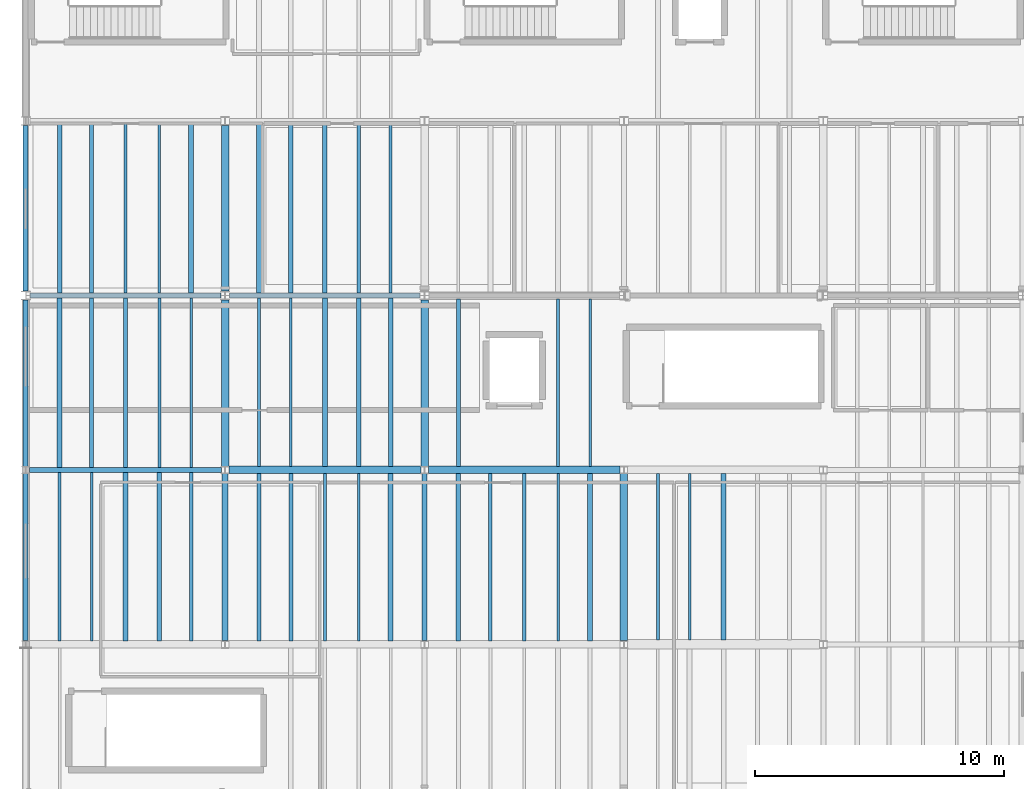
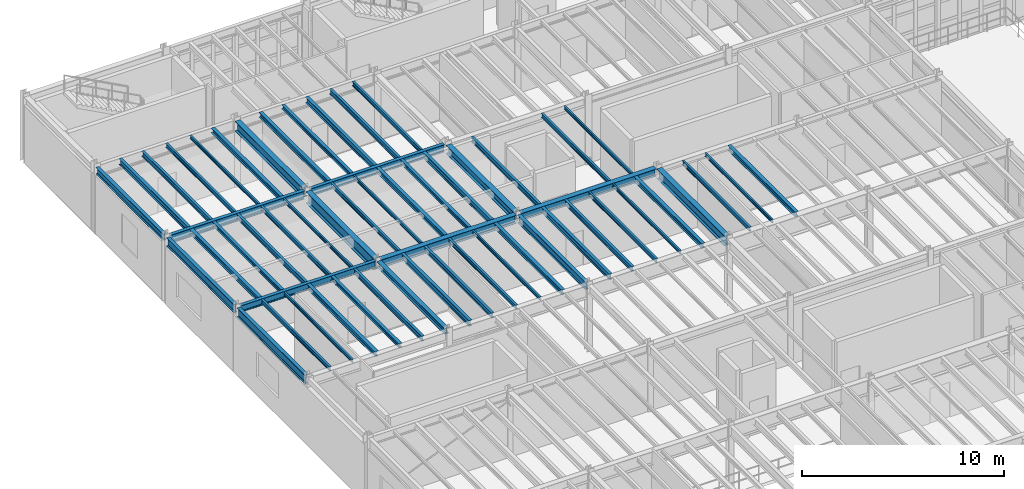
# One storey, part 18 of 78: 55 beams.
"""IFC4 building model written with IfcOpenShell, lengths in metres."""

from ifc_helpers import new_model, si_unit, direction, frame, origin, origin_2d, place, context, subcontext, project, spatial, i_section, extrude, material, material_profile, profile_set, type_object, element, save


model = new_model("IFC4")

# Units and contexts
model_context = context("Model", 3, precision=1e-05, world=origin(), true_north=direction((0.0, 1.0)))
body_context = subcontext(model_context, "Body", "Model", "MODEL_VIEW")
ifc_project = project(units=[si_unit("LENGTHUNIT", "METRE"), si_unit("AREAUNIT", "SQUARE_METRE"), si_unit("VOLUMEUNIT", "CUBIC_METRE"), si_unit("PLANEANGLEUNIT", "RADIAN"), si_unit("MASSUNIT", "GRAM", prefix="KILO"), si_unit("THERMODYNAMICTEMPERATUREUNIT", "KELVIN"), si_unit("POWERUNIT", "WATT")], contexts=[model_context])

# Site, building, storey
site_placement = place(None, origin())
site = spatial("IfcSite", under=ifc_project, at=site_placement, CompositionType="ELEMENT")
building_placement = place(site_placement, origin())
building = spatial("IfcBuilding", under=site, at=building_placement, Name="Zhenchuan Central Fire Station", CompositionType="ELEMENT")
storey_placement = place(building_placement, frame((0.0, 0.0, 5.85009765625)))
storey = spatial("IfcBuildingStorey", under=building, at=storey_placement, Name="L02", CompositionType="ELEMENT", Elevation=5.85009765625)

# Beams
ifc_material = material(Name="Steel Q355B", Category="steel")
ifc_material_profile_1 = material_profile(ifc_material, i_section(OverallWidth=0.25, OverallDepth=0.340087890625, WebThickness=0.009033203125, FlangeThickness=0.013916015625, FilletRadius=0.01806640625, at=origin_2d()), Name="HM 340x250")
ifc_profile_set_1 = profile_set([ifc_material_profile_1], Name="Steel Q355B")
beam_type_1 = type_object("IfcBeamType", Name="BM-HM340", PredefinedType="BEAM", material=ifc_profile_set_1)
beam_1_placement = place(storey_placement, frame((8.0, 28.64990234375, 3.829833984375), z_axis=(0.0, 1.0, 0.0), x_axis=(-1.0, 0.0, 0.0)))
element("IfcBeam", 1, at=beam_1_placement, inside=storey, type_object=beam_type_1, Name="L03 Girder NS 0284", PredefinedType="BEAM", context=body_context, shape_type="SweptSolid", body=[
    extrude(i_section(OverallWidth=0.25, OverallDepth=0.340087890625, WebThickness=0.009033203125, FlangeThickness=0.013916015625, FilletRadius=0.01806640625, at=origin_2d()), origin(), (0.0, 0.0, 1.0), 6.7001953125),
])
ifc_material_profile_2 = material_profile(ifc_material, i_section(OverallWidth=0.300048828125, OverallDepth=0.43994140625, WebThickness=0.010986328125, FlangeThickness=0.01806640625, FilletRadius=0.02197265625, at=origin_2d()), Name="HM 440x300")
ifc_profile_set_2 = profile_set([ifc_material_profile_2], Name="Steel Q355B")
beam_type_2 = type_object("IfcBeamType", Name="BM-HM440-INT", PredefinedType="BEAM", material=ifc_profile_set_2)
beam_2_placement = place(storey_placement, frame((16.14990234375, 35.5, 3.77978515625), z_axis=(1.0, 0.0, 0.0), x_axis=(0.0, 1.0, 0.0)))
element("IfcBeam", 2, at=beam_2_placement, inside=storey, type_object=beam_type_2, Name="L03 Girder EW 0231", PredefinedType="BEAM", context=body_context, shape_type="SweptSolid", body=[
    extrude(i_section(OverallWidth=0.300048828125, OverallDepth=0.43994140625, WebThickness=0.010986328125, FlangeThickness=0.01806640625, FilletRadius=0.02197265625, at=origin_2d()), origin(), (0.0, 0.0, 1.0), 7.7001953125),
])
ifc_material_profile_3 = material_profile(ifc_material, i_section(OverallWidth=0.300048828125, OverallDepth=0.5, WebThickness=0.010986328125, FlangeThickness=0.01806640625, FilletRadius=0.02197265625, at=origin_2d()), Name="HM 500x300")
ifc_profile_set_3 = profile_set([ifc_material_profile_3], Name="Steel Q355B")
beam_type_3 = type_object("IfcBeamType", Name="BM-HM500-INT", PredefinedType="BEAM", material=ifc_profile_set_3)
beam_3_placement = place(storey_placement, frame((8.14990234375, 35.5, 3.75), z_axis=(1.0, 0.0, 0.0), x_axis=(0.0, 1.0, 0.0)))
element("IfcBeam", 3, at=beam_3_placement, inside=storey, type_object=beam_type_3, Name="L03 Girder EW 0230", PredefinedType="BEAM", context=body_context, shape_type="SweptSolid", body=[
    extrude(i_section(OverallWidth=0.300048828125, OverallDepth=0.5, WebThickness=0.010986328125, FlangeThickness=0.01806640625, FilletRadius=0.02197265625, at=origin_2d()), origin(), (0.0, 0.0, 1.0), 7.7001953125),
])
beam_4_placement = place(storey_placement, frame((16.0, 35.64990234375, 3.75), z_axis=(0.0, 1.0, 0.0), x_axis=(-1.0, 0.0, 0.0)))
element("IfcBeam", 4, at=beam_4_placement, inside=storey, type_object=beam_type_3, Name="L03 Girder NS 0292", PredefinedType="BEAM", context=body_context, shape_type="SweptSolid", body=[
    extrude(i_section(OverallWidth=0.300048828125, OverallDepth=0.5, WebThickness=0.010986328125, FlangeThickness=0.01806640625, FilletRadius=0.02197265625, at=origin_2d()), origin(), (0.0, 0.0, 1.0), 6.675048828125),
])
ifc_material_profile_4 = material_profile(ifc_material, i_section(OverallWidth=0.300048828125, OverallDepth=0.587890625, WebThickness=0.011962890625, FlangeThickness=0.02001953125, FilletRadius=0.02392578125, at=origin_2d()), Name="HM 588x300")
ifc_profile_set_4 = profile_set([ifc_material_profile_4], Name="Steel Q355B")
beam_type_4 = type_object("IfcBeamType", Name="BM-HM588", PredefinedType="BEAM", material=ifc_profile_set_4)
beam_5_placement = place(storey_placement, frame((8.0, 42.675048828125, 3.705810546875), z_axis=(0.0, 1.0, 0.0), x_axis=(-1.0, 0.0, 0.0)))
element("IfcBeam", 5, at=beam_5_placement, inside=storey, type_object=beam_type_4, Name="L03 Girder NS 0286", PredefinedType="BEAM", context=body_context, shape_type="SweptSolid", body=[
    extrude(i_section(OverallWidth=0.300048828125, OverallDepth=0.587890625, WebThickness=0.011962890625, FlangeThickness=0.02001953125, FilletRadius=0.02392578125, at=origin_2d()), origin(), (0.0, 0.0, 1.0), 6.64990234375),
])
beam_6_placement = place(storey_placement, frame((24.0, 28.64990234375, 3.705810546875), z_axis=(0.0, 1.0, 0.0), x_axis=(-1.0, 0.0, 0.0)))
element("IfcBeam", 6, at=beam_6_placement, inside=storey, type_object=beam_type_4, Name="L03 Girder NS 0297", PredefinedType="BEAM", context=body_context, shape_type="SweptSolid", body=[
    extrude(i_section(OverallWidth=0.300048828125, OverallDepth=0.587890625, WebThickness=0.011962890625, FlangeThickness=0.02001953125, FilletRadius=0.02392578125, at=origin_2d()), origin(), (0.0, 0.0, 1.0), 6.7001953125),
])
ifc_material_profile_5 = material_profile(ifc_material, i_section(OverallWidth=0.199951171875, OverallDepth=0.449951171875, WebThickness=0.009033203125, FlangeThickness=0.013916015625, FilletRadius=0.01806640625, at=origin_2d()), Name="HN 450x200")
ifc_profile_set_5 = profile_set([ifc_material_profile_5], Name="Steel Q355B")
beam_type_5 = type_object("IfcBeamType", Name="BM-HN450", PredefinedType="BEAM", material=ifc_profile_set_5)
beam_7_placement = place(storey_placement, frame((8.175048828125, 42.5, 3.77490234375), z_axis=(1.0, 0.0, 0.0), x_axis=(0.0, 1.0, 0.0)))
element("IfcBeam", 7, at=beam_7_placement, inside=storey, type_object=beam_type_5, Name="L03 Girder EW 0243", PredefinedType="BEAM", context=body_context, shape_type="SweptSolid", body=[
    extrude(i_section(OverallWidth=0.199951171875, OverallDepth=0.449951171875, WebThickness=0.009033203125, FlangeThickness=0.013916015625, FilletRadius=0.01806640625, at=origin_2d()), origin(), (0.0, 0.0, 1.0), 7.64990234375),
])
beam_8_placement = place(storey_placement, frame((16.0, 28.64990234375, 3.77490234375), z_axis=(0.0, 1.0, 0.0), x_axis=(-1.0, 0.0, 0.0)))
element("IfcBeam", 8, at=beam_8_placement, inside=storey, type_object=beam_type_5, Name="L03 Girder NS 0291", PredefinedType="BEAM", context=body_context, shape_type="SweptSolid", body=[
    extrude(i_section(OverallWidth=0.199951171875, OverallDepth=0.449951171875, WebThickness=0.009033203125, FlangeThickness=0.013916015625, FilletRadius=0.01806640625, at=origin_2d()), origin(), (0.0, 0.0, 1.0), 6.7001953125),
])
ifc_material_profile_6 = material_profile(ifc_material, i_section(OverallWidth=0.199951171875, OverallDepth=0.5, WebThickness=0.010009765625, FlangeThickness=0.01611328125, FilletRadius=0.02001953125, at=origin_2d()), Name="HN 500x200")
ifc_profile_set_6 = profile_set([ifc_material_profile_6], Name="Steel Q355B")
beam_type_6 = type_object("IfcBeamType", Name="BM-HN500", PredefinedType="BEAM", material=ifc_profile_set_6)
beam_9_placement = place(storey_placement, frame((0.0, 35.64990234375, 3.75), z_axis=(0.0, 1.0, 0.0), x_axis=(-1.0, 0.0, 0.0)))
element("IfcBeam", 9, at=beam_9_placement, inside=storey, type_object=beam_type_6, Name="L03 Girder NS 0279", PredefinedType="BEAM", context=body_context, shape_type="SweptSolid", body=[
    extrude(i_section(OverallWidth=0.199951171875, OverallDepth=0.5, WebThickness=0.010009765625, FlangeThickness=0.01611328125, FilletRadius=0.02001953125, at=origin_2d()), origin(), (0.0, 0.0, 1.0), 6.675048828125),
])
ifc_material_profile_7 = material_profile(ifc_material, i_section(OverallWidth=0.199951171875, OverallDepth=0.5, WebThickness=0.010009765625, FlangeThickness=0.01611328125, FilletRadius=0.02001953125, at=origin_2d()), Name="HN 500x200")
ifc_profile_set_7 = profile_set([ifc_material_profile_7], Name="Steel Q355B")
beam_type_7 = type_object("IfcBeamType", Name="BM-HN500-INT", PredefinedType="BEAM", material=ifc_profile_set_7)
beam_10_placement = place(storey_placement, frame((0.175048828125, 42.5, 3.75), z_axis=(1.0, 0.0, 0.0), x_axis=(0.0, 1.0, 0.0)))
element("IfcBeam", 10, at=beam_10_placement, inside=storey, type_object=beam_type_7, Name="L03 Girder EW 0242", PredefinedType="BEAM", context=body_context, shape_type="SweptSolid", body=[
    extrude(i_section(OverallWidth=0.199951171875, OverallDepth=0.5, WebThickness=0.010009765625, FlangeThickness=0.01611328125, FilletRadius=0.02001953125, at=origin_2d()), origin(), (0.0, 0.0, 1.0), 7.64990234375),
])
ifc_material_profile_8 = material_profile(ifc_material, i_section(OverallWidth=0.199951171875, OverallDepth=0.550048828125, WebThickness=0.010009765625, FlangeThickness=0.01611328125, FilletRadius=0.02001953125, at=origin_2d()), Name="HN 550x200")
ifc_profile_set_8 = profile_set([ifc_material_profile_8], Name="Steel Q355B")
beam_type_8 = type_object("IfcBeamType", Name="BM-HN550", PredefinedType="BEAM", material=ifc_profile_set_8)
beam_11_placement = place(storey_placement, frame((0.0, 28.64990234375, 3.724853515625), z_axis=(0.0, 1.0, 0.0), x_axis=(-1.0, 0.0, 0.0)))
element("IfcBeam", 11, at=beam_11_placement, inside=storey, type_object=beam_type_8, Name="L03 Girder NS 0278", PredefinedType="BEAM", context=body_context, shape_type="SweptSolid", body=[
    extrude(i_section(OverallWidth=0.199951171875, OverallDepth=0.550048828125, WebThickness=0.010009765625, FlangeThickness=0.01611328125, FilletRadius=0.02001953125, at=origin_2d()), origin(), (0.0, 0.0, 1.0), 6.7001953125),
])
ifc_material_profile_9 = material_profile(ifc_material, i_section(OverallWidth=0.300048828125, OverallDepth=0.699951171875, WebThickness=0.012939453125, FlangeThickness=0.02392578125, FilletRadius=0.02392578125, at=origin_2d()), Name="HN 700x300")
ifc_profile_set_9 = profile_set([ifc_material_profile_9], Name="Steel Q355B")
beam_type_9 = type_object("IfcBeamType", Name="BM-HN700", PredefinedType="BEAM", material=ifc_profile_set_9)
beam_12_placement = place(storey_placement, frame((8.0, 35.64990234375, 3.64990234375), z_axis=(0.0, 1.0, 0.0), x_axis=(-1.0, 0.0, 0.0)))
element("IfcBeam", 12, at=beam_12_placement, inside=storey, type_object=beam_type_9, Name="L03 Girder NS 0285", PredefinedType="BEAM", context=body_context, shape_type="SweptSolid", body=[
    extrude(i_section(OverallWidth=0.300048828125, OverallDepth=0.699951171875, WebThickness=0.012939453125, FlangeThickness=0.02392578125, FilletRadius=0.02392578125, at=origin_2d()), origin(), (0.0, 0.0, 1.0), 6.675048828125),
])
ifc_material_profile_10 = material_profile(ifc_material, i_section(OverallWidth=0.175048828125, OverallDepth=0.243896484375, WebThickness=0.007080078125, FlangeThickness=0.010986328125, FilletRadius=0.012939453125, at=origin_2d()), Name="HM 244x175")
ifc_profile_set_10 = profile_set([ifc_material_profile_10], Name="Steel Q355B")
beam_type_10 = type_object("IfcBeamType", Name="JS-HM244", PredefinedType="JOIST", material=ifc_profile_set_10)
beam_13_placement = place(storey_placement, frame((5.360107421875, 28.64697265625, 3.8779296875), z_axis=(0.0, 1.0, 0.0), x_axis=(-1.0, 0.0, 0.0)))
element("IfcBeam", 13, at=beam_13_placement, inside=storey, type_object=beam_type_10, Name="L03 Secondary Joist 0420", PredefinedType="JOIST", context=body_context, shape_type="SweptSolid", body=[
    extrude(i_section(OverallWidth=0.175048828125, OverallDepth=0.243896484375, WebThickness=0.007080078125, FlangeThickness=0.010986328125, FilletRadius=0.012939453125, at=origin_2d()), origin(), (0.0, 0.0, 1.0), 6.756103515625),
])
beam_14_placement = place(storey_placement, frame((2.639892578125, 35.596923828125, 3.8779296875), z_axis=(0.0, 1.0, 0.0), x_axis=(-1.0, 0.0, 0.0)))
element("IfcBeam", 14, at=beam_14_placement, inside=storey, type_object=beam_type_10, Name="L03 Secondary Joist 0455", PredefinedType="JOIST", context=body_context, shape_type="SweptSolid", body=[
    extrude(i_section(OverallWidth=0.175048828125, OverallDepth=0.243896484375, WebThickness=0.007080078125, FlangeThickness=0.010986328125, FilletRadius=0.012939453125, at=origin_2d()), origin(), (0.0, 0.0, 1.0), 6.80615234375),
])
beam_15_placement = place(storey_placement, frame((13.360107421875, 35.64697265625, 3.8779296875), z_axis=(0.0, 1.0, 0.0), x_axis=(-1.0, 0.0, 0.0)))
element("IfcBeam", 15, at=beam_15_placement, inside=storey, type_object=beam_type_10, Name="L03 Secondary Joist 0462", PredefinedType="JOIST", context=body_context, shape_type="SweptSolid", body=[
    extrude(i_section(OverallWidth=0.175048828125, OverallDepth=0.243896484375, WebThickness=0.007080078125, FlangeThickness=0.010986328125, FilletRadius=0.012939453125, at=origin_2d()), origin(), (0.0, 0.0, 1.0), 6.756103515625),
])
beam_16_placement = place(storey_placement, frame((10.639892578125, 42.596923828125, 3.8779296875), z_axis=(0.0, 1.0, 0.0), x_axis=(-1.0, 0.0, 0.0)))
element("IfcBeam", 16, at=beam_16_placement, inside=storey, type_object=beam_type_10, Name="L03 Secondary Joist 0498", PredefinedType="JOIST", context=body_context, shape_type="SweptSolid", body=[
    extrude(i_section(OverallWidth=0.175048828125, OverallDepth=0.243896484375, WebThickness=0.007080078125, FlangeThickness=0.010986328125, FilletRadius=0.012939453125, at=origin_2d()), origin(), (0.0, 0.0, 1.0), 6.80615234375),
])
ifc_material_profile_11 = material_profile(ifc_material, i_section(OverallWidth=0.199951171875, OverallDepth=0.2939453125, WebThickness=0.008056640625, FlangeThickness=0.011962890625, FilletRadius=0.01611328125, at=origin_2d()), Name="HM 294x200")
ifc_profile_set_11 = profile_set([ifc_material_profile_11], Name="Steel Q355B")
beam_type_11 = type_object("IfcBeamType", Name="JS-HM294", PredefinedType="JOIST", material=ifc_profile_set_11)
beam_17_placement = place(storey_placement, frame((4.0, 28.64697265625, 3.852783203125), z_axis=(0.0, 1.0, 0.0), x_axis=(-1.0, 0.0, 0.0)))
element("IfcBeam", 17, at=beam_17_placement, inside=storey, type_object=beam_type_11, Name="L03 Secondary Joist 0419", PredefinedType="JOIST", context=body_context, shape_type="SweptSolid", body=[
    extrude(i_section(OverallWidth=0.199951171875, OverallDepth=0.2939453125, WebThickness=0.008056640625, FlangeThickness=0.011962890625, FilletRadius=0.01611328125, at=origin_2d()), origin(), (0.0, 0.0, 1.0), 6.756103515625),
])
for number, where, z_axis, x_axis, name in (
    (18, (14.639892578125, 28.64697265625, 3.852783203125), (0.0, 1.0, 0.0), (-1.0, 0.0, 0.0), "L03 Secondary Joist 0426"),
    (19, (22.639892578125, 28.64697265625, 3.852783203125), (0.0, 1.0, 0.0), (-1.0, 0.0, 0.0), "L03 Secondary Joist 0431"),
):
    element("IfcBeam", number, at=place(storey_placement, frame(where, z_axis=z_axis, x_axis=x_axis)), inside=storey, type_object=beam_type_11, Name=name, PredefinedType="JOIST", context=body_context, shape_type="SweptSolid", body=[
        extrude(i_section(OverallWidth=0.199951171875, OverallDepth=0.2939453125, WebThickness=0.008056640625, FlangeThickness=0.011962890625, FilletRadius=0.01611328125, at=origin_2d()), origin(), (0.0, 0.0, 1.0), 6.7060546875),
    ])
beam_18_placement = place(storey_placement, frame((28.0, 28.68701171875, 3.852783203125), z_axis=(0.0, 1.0, 0.0), x_axis=(-1.0, 0.0, 0.0)))
element("IfcBeam", 20, at=beam_18_placement, inside=storey, type_object=beam_type_11, Name="L03 Secondary Joist 0434", PredefinedType="JOIST", context=body_context, shape_type="SweptSolid", body=[
    extrude(i_section(OverallWidth=0.199951171875, OverallDepth=0.2939453125, WebThickness=0.008056640625, FlangeThickness=0.011962890625, FilletRadius=0.01611328125, at=origin_2d()), origin(), (0.0, 0.0, 1.0), 6.666015625),
])
beam_19_placement = place(storey_placement, frame((1.360107421875, 35.596923828125, 3.852783203125), z_axis=(0.0, 1.0, 0.0), x_axis=(-1.0, 0.0, 0.0)))
element("IfcBeam", 21, at=beam_19_placement, inside=storey, type_object=beam_type_11, Name="L03 Secondary Joist 0454", PredefinedType="JOIST", context=body_context, shape_type="SweptSolid", body=[
    extrude(i_section(OverallWidth=0.199951171875, OverallDepth=0.2939453125, WebThickness=0.008056640625, FlangeThickness=0.011962890625, FilletRadius=0.01611328125, at=origin_2d()), origin(), (0.0, 0.0, 1.0), 6.80615234375),
])
beam_20_placement = place(storey_placement, frame((12.0, 35.64697265625, 3.852783203125), z_axis=(0.0, 1.0, 0.0), x_axis=(-1.0, 0.0, 0.0)))
element("IfcBeam", 22, at=beam_20_placement, inside=storey, type_object=beam_type_11, Name="L03 Secondary Joist 0461", PredefinedType="JOIST", context=body_context, shape_type="SweptSolid", body=[
    extrude(i_section(OverallWidth=0.199951171875, OverallDepth=0.2939453125, WebThickness=0.008056640625, FlangeThickness=0.011962890625, FilletRadius=0.01611328125, at=origin_2d()), origin(), (0.0, 0.0, 1.0), 6.756103515625),
])
for number, where, z_axis, x_axis, name in (
    (23, (6.639892578125, 42.596923828125, 3.852783203125), (0.0, 1.0, 0.0), (-1.0, 0.0, 0.0), "L03 Secondary Joist 0496"),
    (24, (9.360107421875, 42.596923828125, 3.852783203125), (0.0, 1.0, 0.0), (-1.0, 0.0, 0.0), "L03 Secondary Joist 0497"),
):
    element("IfcBeam", number, at=place(storey_placement, frame(where, z_axis=z_axis, x_axis=x_axis)), inside=storey, type_object=beam_type_11, Name=name, PredefinedType="JOIST", context=body_context, shape_type="SweptSolid", body=[
        extrude(i_section(OverallWidth=0.199951171875, OverallDepth=0.2939453125, WebThickness=0.008056640625, FlangeThickness=0.011962890625, FilletRadius=0.01611328125, at=origin_2d()), origin(), (0.0, 0.0, 1.0), 6.80615234375),
    ])
ifc_material_profile_12 = material_profile(ifc_material, i_section(OverallWidth=0.10009765625, OverallDepth=0.199951171875, WebThickness=0.005615234375, FlangeThickness=0.008056640625, FilletRadius=0.010986328125, at=origin_2d()), Name="HN 200x100")
ifc_profile_set_12 = profile_set([ifc_material_profile_12], Name="Steel Q355B")
beam_type_12 = type_object("IfcBeamType", Name="JS-HN200", PredefinedType="JOIST", material=ifc_profile_set_12)
beam_21_placement = place(storey_placement, frame((2.639892578125, 28.64697265625, 3.89990234375), z_axis=(0.0, 1.0, 0.0), x_axis=(-1.0, 0.0, 0.0)))
element("IfcBeam", 25, at=beam_21_placement, inside=storey, type_object=beam_type_12, Name="L03 Secondary Joist 0418", PredefinedType="JOIST", context=body_context, shape_type="SweptSolid", body=[
    extrude(i_section(OverallWidth=0.10009765625, OverallDepth=0.199951171875, WebThickness=0.005615234375, FlangeThickness=0.008056640625, FilletRadius=0.010986328125, at=origin_2d()), origin(), (0.0, 0.0, 1.0), 6.756103515625),
])
for number, where, z_axis, x_axis, name in (
    (26, (13.360107421875, 28.64697265625, 3.89990234375), (0.0, 1.0, 0.0), (-1.0, 0.0, 0.0), "L03 Secondary Joist 0425"),
    (27, (21.360107421875, 28.64697265625, 3.89990234375), (0.0, 1.0, 0.0), (-1.0, 0.0, 0.0), "L03 Secondary Joist 0430"),
):
    element("IfcBeam", number, at=place(storey_placement, frame(where, z_axis=z_axis, x_axis=x_axis)), inside=storey, type_object=beam_type_12, Name=name, PredefinedType="JOIST", context=body_context, shape_type="SweptSolid", body=[
        extrude(i_section(OverallWidth=0.10009765625, OverallDepth=0.199951171875, WebThickness=0.005615234375, FlangeThickness=0.008056640625, FilletRadius=0.010986328125, at=origin_2d()), origin(), (0.0, 0.0, 1.0), 6.7060546875),
    ])
beam_22_placement = place(storey_placement, frame((26.639892578125, 28.68701171875, 3.89990234375), z_axis=(0.0, 1.0, 0.0), x_axis=(-1.0, 0.0, 0.0)))
element("IfcBeam", 28, at=beam_22_placement, inside=storey, type_object=beam_type_12, Name="L03 Secondary Joist 0433", PredefinedType="JOIST", context=body_context, shape_type="SweptSolid", body=[
    extrude(i_section(OverallWidth=0.10009765625, OverallDepth=0.199951171875, WebThickness=0.005615234375, FlangeThickness=0.008056640625, FilletRadius=0.010986328125, at=origin_2d()), origin(), (0.0, 0.0, 1.0), 6.666015625),
])
beam_23_placement = place(storey_placement, frame((6.639892578125, 35.596923828125, 3.89990234375), z_axis=(0.0, 1.0, 0.0), x_axis=(-1.0, 0.0, 0.0)))
element("IfcBeam", 29, at=beam_23_placement, inside=storey, type_object=beam_type_12, Name="L03 Secondary Joist 0458", PredefinedType="JOIST", context=body_context, shape_type="SweptSolid", body=[
    extrude(i_section(OverallWidth=0.10009765625, OverallDepth=0.199951171875, WebThickness=0.005615234375, FlangeThickness=0.008056640625, FilletRadius=0.010986328125, at=origin_2d()), origin(), (0.0, 0.0, 1.0), 6.80615234375),
])
beam_24_placement = place(storey_placement, frame((10.639892578125, 35.64697265625, 3.89990234375), z_axis=(0.0, 1.0, 0.0), x_axis=(-1.0, 0.0, 0.0)))
element("IfcBeam", 30, at=beam_24_placement, inside=storey, type_object=beam_type_12, Name="L03 Secondary Joist 0460", PredefinedType="JOIST", context=body_context, shape_type="SweptSolid", body=[
    extrude(i_section(OverallWidth=0.10009765625, OverallDepth=0.199951171875, WebThickness=0.005615234375, FlangeThickness=0.008056640625, FilletRadius=0.010986328125, at=origin_2d()), origin(), (0.0, 0.0, 1.0), 6.756103515625),
])
beam_25_placement = place(storey_placement, frame((22.639892578125, 35.64697265625, 3.89990234375), z_axis=(0.0, 1.0, 0.0), x_axis=(-1.0, 0.0, 0.0)))
element("IfcBeam", 31, at=beam_25_placement, inside=storey, type_object=beam_type_12, Name="L03 Secondary Joist 0466", PredefinedType="JOIST", context=body_context, shape_type="SweptSolid", body=[
    extrude(i_section(OverallWidth=0.10009765625, OverallDepth=0.199951171875, WebThickness=0.005615234375, FlangeThickness=0.008056640625, FilletRadius=0.010986328125, at=origin_2d()), origin(), (0.0, 0.0, 1.0), 6.7060546875),
])
beam_26_placement = place(storey_placement, frame((5.360107421875, 42.596923828125, 3.89990234375), z_axis=(0.0, 1.0, 0.0), x_axis=(-1.0, 0.0, 0.0)))
element("IfcBeam", 32, at=beam_26_placement, inside=storey, type_object=beam_type_12, Name="L03 Secondary Joist 0495", PredefinedType="JOIST", context=body_context, shape_type="SweptSolid", body=[
    extrude(i_section(OverallWidth=0.10009765625, OverallDepth=0.199951171875, WebThickness=0.005615234375, FlangeThickness=0.008056640625, FilletRadius=0.010986328125, at=origin_2d()), origin(), (0.0, 0.0, 1.0), 6.80615234375),
])
ifc_material_profile_13 = material_profile(ifc_material, i_section(OverallWidth=0.125, OverallDepth=0.25, WebThickness=0.006103515625, FlangeThickness=0.009033203125, FilletRadius=0.011962890625, at=origin_2d()), Name="HN 250x125")
ifc_profile_set_13 = profile_set([ifc_material_profile_13], Name="Steel Q355B")
beam_type_13 = type_object("IfcBeamType", Name="JS-HN250", PredefinedType="JOIST", material=ifc_profile_set_13)
beam_27_placement = place(storey_placement, frame((1.360107421875, 28.64697265625, 3.875), z_axis=(0.0, 1.0, 0.0), x_axis=(-1.0, 0.0, 0.0)))
element("IfcBeam", 33, at=beam_27_placement, inside=storey, type_object=beam_type_13, Name="L03 Secondary Joist 0417", PredefinedType="JOIST", context=body_context, shape_type="SweptSolid", body=[
    extrude(i_section(OverallWidth=0.125, OverallDepth=0.25, WebThickness=0.006103515625, FlangeThickness=0.009033203125, FilletRadius=0.011962890625, at=origin_2d()), origin(), (0.0, 0.0, 1.0), 6.756103515625),
])
for number, where, z_axis, x_axis, name in (
    (34, (12.0, 28.64697265625, 3.875), (0.0, 1.0, 0.0), (-1.0, 0.0, 0.0), "L03 Secondary Joist 0424"),
    (35, (20.0, 28.64697265625, 3.875), (0.0, 1.0, 0.0), (-1.0, 0.0, 0.0), "L03 Secondary Joist 0429"),
):
    element("IfcBeam", number, at=place(storey_placement, frame(where, z_axis=z_axis, x_axis=x_axis)), inside=storey, type_object=beam_type_13, Name=name, PredefinedType="JOIST", context=body_context, shape_type="SweptSolid", body=[
        extrude(i_section(OverallWidth=0.125, OverallDepth=0.25, WebThickness=0.006103515625, FlangeThickness=0.009033203125, FilletRadius=0.011962890625, at=origin_2d()), origin(), (0.0, 0.0, 1.0), 6.7060546875),
    ])
beam_28_placement = place(storey_placement, frame((25.360107421875, 28.68701171875, 3.875), z_axis=(0.0, 1.0, 0.0), x_axis=(-1.0, 0.0, 0.0)))
element("IfcBeam", 36, at=beam_28_placement, inside=storey, type_object=beam_type_13, Name="L03 Secondary Joist 0432", PredefinedType="JOIST", context=body_context, shape_type="SweptSolid", body=[
    extrude(i_section(OverallWidth=0.125, OverallDepth=0.25, WebThickness=0.006103515625, FlangeThickness=0.009033203125, FilletRadius=0.011962890625, at=origin_2d()), origin(), (0.0, 0.0, 1.0), 6.666015625),
])
beam_29_placement = place(storey_placement, frame((5.360107421875, 35.596923828125, 3.875), z_axis=(0.0, 1.0, 0.0), x_axis=(-1.0, 0.0, 0.0)))
element("IfcBeam", 37, at=beam_29_placement, inside=storey, type_object=beam_type_13, Name="L03 Secondary Joist 0457", PredefinedType="JOIST", context=body_context, shape_type="SweptSolid", body=[
    extrude(i_section(OverallWidth=0.125, OverallDepth=0.25, WebThickness=0.006103515625, FlangeThickness=0.009033203125, FilletRadius=0.011962890625, at=origin_2d()), origin(), (0.0, 0.0, 1.0), 6.80615234375),
])
beam_30_placement = place(storey_placement, frame((9.360107421875, 35.64697265625, 3.875), z_axis=(0.0, 1.0, 0.0), x_axis=(-1.0, 0.0, 0.0)))
element("IfcBeam", 38, at=beam_30_placement, inside=storey, type_object=beam_type_13, Name="L03 Secondary Joist 0459", PredefinedType="JOIST", context=body_context, shape_type="SweptSolid", body=[
    extrude(i_section(OverallWidth=0.125, OverallDepth=0.25, WebThickness=0.006103515625, FlangeThickness=0.009033203125, FilletRadius=0.011962890625, at=origin_2d()), origin(), (0.0, 0.0, 1.0), 6.756103515625),
])
beam_31_placement = place(storey_placement, frame((21.360107421875, 35.64697265625, 3.875), z_axis=(0.0, 1.0, 0.0), x_axis=(-1.0, 0.0, 0.0)))
element("IfcBeam", 39, at=beam_31_placement, inside=storey, type_object=beam_type_13, Name="L03 Secondary Joist 0465", PredefinedType="JOIST", context=body_context, shape_type="SweptSolid", body=[
    extrude(i_section(OverallWidth=0.125, OverallDepth=0.25, WebThickness=0.006103515625, FlangeThickness=0.009033203125, FilletRadius=0.011962890625, at=origin_2d()), origin(), (0.0, 0.0, 1.0), 6.7060546875),
])
for number, where, z_axis, x_axis, name in (
    (40, (4.0, 42.596923828125, 3.875), (0.0, 1.0, 0.0), (-1.0, 0.0, 0.0), "L03 Secondary Joist 0494"),
    (41, (14.639892578125, 42.596923828125, 3.875), (0.0, 1.0, 0.0), (-1.0, 0.0, 0.0), "L03 Secondary Joist 0501"),
):
    element("IfcBeam", number, at=place(storey_placement, frame(where, z_axis=z_axis, x_axis=x_axis)), inside=storey, type_object=beam_type_13, Name=name, PredefinedType="JOIST", context=body_context, shape_type="SweptSolid", body=[
        extrude(i_section(OverallWidth=0.125, OverallDepth=0.25, WebThickness=0.006103515625, FlangeThickness=0.009033203125, FilletRadius=0.011962890625, at=origin_2d()), origin(), (0.0, 0.0, 1.0), 6.80615234375),
    ])
ifc_material_profile_14 = material_profile(ifc_material, i_section(OverallWidth=0.14990234375, OverallDepth=0.300048828125, WebThickness=0.006591796875, FlangeThickness=0.009033203125, FilletRadius=0.012939453125, at=origin_2d()), Name="HN 300x150")
ifc_profile_set_14 = profile_set([ifc_material_profile_14], Name="Steel Q355B")
beam_type_14 = type_object("IfcBeamType", Name="JS-HN300", PredefinedType="JOIST", material=ifc_profile_set_14)
beam_32_placement = place(storey_placement, frame((6.639892578125, 28.64697265625, 3.849853515625), z_axis=(0.0, 1.0, 0.0), x_axis=(-1.0, 0.0, 0.0)))
element("IfcBeam", 42, at=beam_32_placement, inside=storey, type_object=beam_type_14, Name="L03 Secondary Joist 0421", PredefinedType="JOIST", context=body_context, shape_type="SweptSolid", body=[
    extrude(i_section(OverallWidth=0.14990234375, OverallDepth=0.300048828125, WebThickness=0.006591796875, FlangeThickness=0.009033203125, FilletRadius=0.012939453125, at=origin_2d()), origin(), (0.0, 0.0, 1.0), 6.756103515625),
])
for number, where, z_axis, x_axis, name in (
    (43, (10.639892578125, 28.64697265625, 3.849853515625), (0.0, 1.0, 0.0), (-1.0, 0.0, 0.0), "L03 Secondary Joist 0423"),
    (44, (18.639892578125, 28.64697265625, 3.849853515625), (0.0, 1.0, 0.0), (-1.0, 0.0, 0.0), "L03 Secondary Joist 0428"),
):
    element("IfcBeam", number, at=place(storey_placement, frame(where, z_axis=z_axis, x_axis=x_axis)), inside=storey, type_object=beam_type_14, Name=name, PredefinedType="JOIST", context=body_context, shape_type="SweptSolid", body=[
        extrude(i_section(OverallWidth=0.14990234375, OverallDepth=0.300048828125, WebThickness=0.006591796875, FlangeThickness=0.009033203125, FilletRadius=0.012939453125, at=origin_2d()), origin(), (0.0, 0.0, 1.0), 6.7060546875),
    ])
beam_33_placement = place(storey_placement, frame((4.0, 35.596923828125, 3.849853515625), z_axis=(0.0, 1.0, 0.0), x_axis=(-1.0, 0.0, 0.0)))
element("IfcBeam", 45, at=beam_33_placement, inside=storey, type_object=beam_type_14, Name="L03 Secondary Joist 0456", PredefinedType="JOIST", context=body_context, shape_type="SweptSolid", body=[
    extrude(i_section(OverallWidth=0.14990234375, OverallDepth=0.300048828125, WebThickness=0.006591796875, FlangeThickness=0.009033203125, FilletRadius=0.012939453125, at=origin_2d()), origin(), (0.0, 0.0, 1.0), 6.80615234375),
])
beam_34_placement = place(storey_placement, frame((17.360107421875, 35.64697265625, 3.849853515625), z_axis=(0.0, 1.0, 0.0), x_axis=(-1.0, 0.0, 0.0)))
element("IfcBeam", 46, at=beam_34_placement, inside=storey, type_object=beam_type_14, Name="L03 Secondary Joist 0464", PredefinedType="JOIST", context=body_context, shape_type="SweptSolid", body=[
    extrude(i_section(OverallWidth=0.14990234375, OverallDepth=0.300048828125, WebThickness=0.006591796875, FlangeThickness=0.009033203125, FilletRadius=0.012939453125, at=origin_2d()), origin(), (0.0, 0.0, 1.0), 6.7060546875),
])
for number, where, z_axis, x_axis, name in (
    (47, (2.639892578125, 42.596923828125, 3.849853515625), (0.0, 1.0, 0.0), (-1.0, 0.0, 0.0), "L03 Secondary Joist 0493"),
    (48, (13.360107421875, 42.596923828125, 3.849853515625), (0.0, 1.0, 0.0), (-1.0, 0.0, 0.0), "L03 Secondary Joist 0500"),
):
    element("IfcBeam", number, at=place(storey_placement, frame(where, z_axis=z_axis, x_axis=x_axis)), inside=storey, type_object=beam_type_14, Name=name, PredefinedType="JOIST", context=body_context, shape_type="SweptSolid", body=[
        extrude(i_section(OverallWidth=0.14990234375, OverallDepth=0.300048828125, WebThickness=0.006591796875, FlangeThickness=0.009033203125, FilletRadius=0.012939453125, at=origin_2d()), origin(), (0.0, 0.0, 1.0), 6.80615234375),
    ])
ifc_material_profile_15 = material_profile(ifc_material, i_section(OverallWidth=0.175048828125, OverallDepth=0.35009765625, WebThickness=0.007080078125, FlangeThickness=0.010986328125, FilletRadius=0.013916015625, at=origin_2d()), Name="HN 350x175")
ifc_profile_set_15 = profile_set([ifc_material_profile_15], Name="Steel Q355B")
beam_type_15 = type_object("IfcBeamType", Name="JS-HN350", PredefinedType="JOIST", material=ifc_profile_set_15)
for number, where, z_axis, x_axis, name in (
    (49, (9.360107421875, 28.64697265625, 3.824951171875), (0.0, 1.0, 0.0), (-1.0, 0.0, 0.0), "L03 Secondary Joist 0422"),
    (50, (17.360107421875, 28.64697265625, 3.824951171875), (0.0, 1.0, 0.0), (-1.0, 0.0, 0.0), "L03 Secondary Joist 0427"),
):
    element("IfcBeam", number, at=place(storey_placement, frame(where, z_axis=z_axis, x_axis=x_axis)), inside=storey, type_object=beam_type_15, Name=name, PredefinedType="JOIST", context=body_context, shape_type="SweptSolid", body=[
        extrude(i_section(OverallWidth=0.175048828125, OverallDepth=0.35009765625, WebThickness=0.007080078125, FlangeThickness=0.010986328125, FilletRadius=0.013916015625, at=origin_2d()), origin(), (0.0, 0.0, 1.0), 6.7060546875),
    ])
beam_35_placement = place(storey_placement, frame((14.639892578125, 35.64697265625, 3.824951171875), z_axis=(0.0, 1.0, 0.0), x_axis=(-1.0, 0.0, 0.0)))
element("IfcBeam", 51, at=beam_35_placement, inside=storey, type_object=beam_type_15, Name="L03 Secondary Joist 0463", PredefinedType="JOIST", context=body_context, shape_type="SweptSolid", body=[
    extrude(i_section(OverallWidth=0.175048828125, OverallDepth=0.35009765625, WebThickness=0.007080078125, FlangeThickness=0.010986328125, FilletRadius=0.013916015625, at=origin_2d()), origin(), (0.0, 0.0, 1.0), 6.756103515625),
])
for number, where, z_axis, x_axis, name in (
    (52, (1.360107421875, 42.596923828125, 3.824951171875), (0.0, 1.0, 0.0), (-1.0, 0.0, 0.0), "L03 Secondary Joist 0492"),
    (53, (12.0, 42.596923828125, 3.824951171875), (0.0, 1.0, 0.0), (-1.0, 0.0, 0.0), "L03 Secondary Joist 0499"),
):
    element("IfcBeam", number, at=place(storey_placement, frame(where, z_axis=z_axis, x_axis=x_axis)), inside=storey, type_object=beam_type_15, Name=name, PredefinedType="JOIST", context=body_context, shape_type="SweptSolid", body=[
        extrude(i_section(OverallWidth=0.175048828125, OverallDepth=0.35009765625, WebThickness=0.007080078125, FlangeThickness=0.010986328125, FilletRadius=0.013916015625, at=origin_2d()), origin(), (0.0, 0.0, 1.0), 6.80615234375),
    ])
ifc_material_profile_16 = material_profile(ifc_material, i_section(OverallWidth=0.199951171875, OverallDepth=0.39990234375, WebThickness=0.008056640625, FlangeThickness=0.012939453125, FilletRadius=0.01611328125, at=origin_2d()), Name="HN 400x200")
ifc_profile_set_16 = profile_set([ifc_material_profile_16], Name="Steel Q355B")
beam_type_16 = type_object("IfcBeamType", Name="SP-HN400", PredefinedType="SPANDREL", material=ifc_profile_set_16)
beam_36_placement = place(storey_placement, frame((0.0, 42.675048828125, 3.7998046875), z_axis=(0.0, 1.0, 0.0), x_axis=(-1.0, 0.0, 0.0)))
element("IfcBeam", 54, at=beam_36_placement, inside=storey, type_object=beam_type_16, Name="L03 Girder NS 0280", PredefinedType="SPANDREL", context=body_context, shape_type="SweptSolid", body=[
    extrude(i_section(OverallWidth=0.199951171875, OverallDepth=0.39990234375, WebThickness=0.008056640625, FlangeThickness=0.012939453125, FilletRadius=0.01611328125, at=origin_2d()), origin(), (0.0, 0.0, 1.0), 6.64990234375),
])
ifc_material_profile_17 = material_profile(ifc_material, i_section(OverallWidth=0.199951171875, OverallDepth=0.39990234375, WebThickness=0.008056640625, FlangeThickness=0.012939453125, FilletRadius=0.01611328125, at=origin_2d()), Name="HN 400x200")
ifc_profile_set_17 = profile_set([ifc_material_profile_17], Name="Steel Q355B")
beam_type_17 = type_object("IfcBeamType", Name="SP-HN400-INT", PredefinedType="SPANDREL", material=ifc_profile_set_17)
beam_37_placement = place(storey_placement, frame((0.14990234375, 35.5, 3.7998046875), z_axis=(1.0, 0.0, 0.0), x_axis=(0.0, 1.0, 0.0)))
element("IfcBeam", 55, at=beam_37_placement, inside=storey, type_object=beam_type_17, Name="L03 Girder EW 0229", PredefinedType="SPANDREL", context=body_context, shape_type="SweptSolid", body=[
    extrude(i_section(OverallWidth=0.199951171875, OverallDepth=0.39990234375, WebThickness=0.008056640625, FlangeThickness=0.012939453125, FilletRadius=0.01611328125, at=origin_2d()), origin(), (0.0, 0.0, 1.0), 7.7001953125),
])

save(model, "model.ifc")
